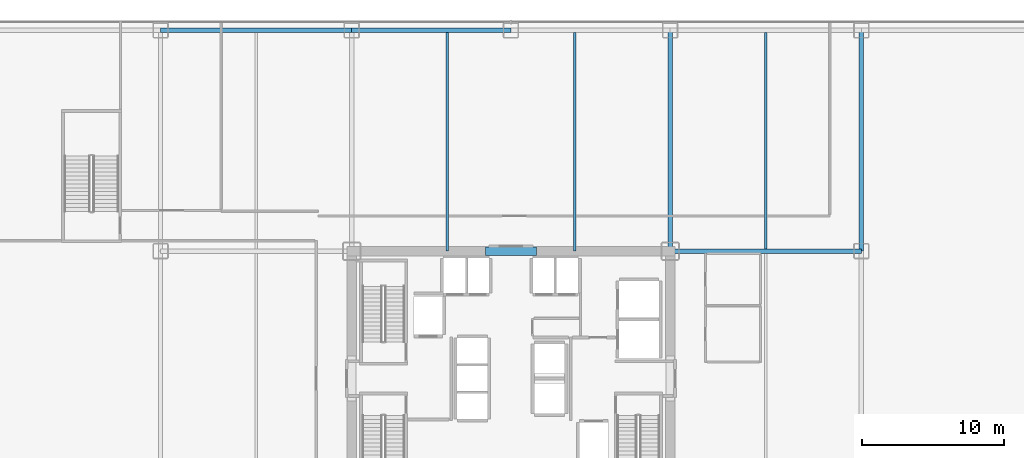
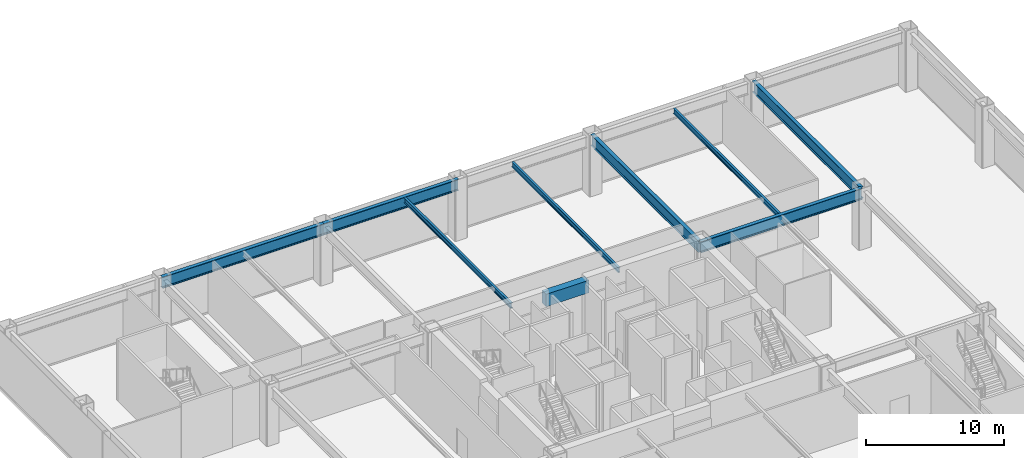
# One storey, part 9 of 24: 9 beams.
"""IFC4 building model written with IfcOpenShell, lengths in metres."""

from ifc_helpers import new_model, si_unit, direction, frame, origin, origin_2d, place, context, subcontext, project, spatial, rectangle, i_section, extrude, source, transform, mapped, material, material_profile, profile_set, type_object, element, save


model = new_model("IFC4")

# Units and contexts
model_context = context("Model", 3, precision=1e-05, world=origin(), true_north=direction((0.0, 1.0)))
body_context = subcontext(model_context, "Body", "Model", "MODEL_VIEW")
ifc_project = project(units=[si_unit("LENGTHUNIT", "METRE"), si_unit("AREAUNIT", "SQUARE_METRE"), si_unit("VOLUMEUNIT", "CUBIC_METRE"), si_unit("PLANEANGLEUNIT", "RADIAN"), si_unit("MASSUNIT", "GRAM", prefix="KILO")], contexts=[model_context])

# Site, building, storey
site_placement = place(None, origin())
site = spatial("IfcSite", under=ifc_project, at=site_placement, CompositionType="ELEMENT")
building_placement = place(site_placement, origin())
building = spatial("IfcBuilding", under=site, at=building_placement, Name="Nefas-Gora Pilgrimage Tower", CompositionType="ELEMENT")
storey_placement = place(building_placement, frame((0.0, 0.0, 11.39990234375)))
storey = spatial("IfcBuildingStorey", under=building, at=storey_placement, Name="L02", CompositionType="ELEMENT", Elevation=11.39990234375)

# Beams
ifc_material_1 = material(Name="Concrete C60/75", Category="concrete")
ifc_material_profile_1 = material_profile(ifc_material_1, rectangle(XDim=0.60009765625, YDim=1.10009765625, at=origin_2d()), Name="RC 600x1100")
ifc_profile_set_1 = profile_set([ifc_material_profile_1], Name="Concrete C60/75")
beam_type_1 = type_object("IfcBeamType", Name="BM-LIN-RC1100", PredefinedType="LINTEL", material=ifc_profile_set_1)
shared_shape_1 = source(origin(), body_context, "Body", "SweptSolid", [
    extrude(rectangle(XDim=0.60009765625, YDim=1.10009765625, at=origin_2d()), origin(), (0.0, 0.0, 1.0), 3.60009765625),
])
beam_1_placement = place(storey_placement, frame((-1.800048828125, 9.0, 4.550048828125), z_axis=(1.0, 0.0, 0.0), x_axis=(0.0, 1.0, 0.0)))
element("IfcBeam", 1, at=beam_1_placement, inside=storey, type_object=beam_type_1, Name="L02 Core Coupling Lintel Beam N", PredefinedType="LINTEL", context=body_context, shape_type="MappedRepresentation", body=[
    mapped(shared_shape_1, transform((0.0, 0.0, 0.0), x_axis=(1.0, 0.0, 0.0), y_axis=(0.0, 1.0, 0.0), z_axis=(0.0, 0.0, 1.0), scale=1.0)),
])
ifc_material_2 = material(Name="Steel S355", Category="steel")
ifc_material_profile_2 = material_profile(ifc_material_2, i_section(OverallWidth=0.18994140625, OverallDepth=0.449951171875, WebThickness=0.009521484375, FlangeThickness=0.0146484375, FilletRadius=0.02099609375, at=origin_2d()), Name="IPE 450")
ifc_profile_set_2 = profile_set([ifc_material_profile_2], Name="Steel S355")
beam_type_2 = type_object("IfcBeamType", Name="BM-JST-IPE450", PredefinedType="JOIST", material=ifc_profile_set_2)
shared_shape_2 = source(origin(), body_context, "Body", "SweptSolid", [
    extrude(i_section(OverallWidth=0.18994140625, OverallDepth=0.449951171875, WebThickness=0.009521484375, FlangeThickness=0.0146484375, FilletRadius=0.02099609375, at=origin_2d()), origin(), (0.0, 0.0, 1.0), 15.2880859375),
])
beam_2_placement = place(storey_placement, frame((18.0, 9.156005859375, 4.875), z_axis=(0.0, 1.0, 0.0), x_axis=(-1.0, 0.0, 0.0)))
element("IfcBeam", 2, at=beam_2_placement, inside=storey, type_object=beam_type_2, Name="L02 J-01 beam", PredefinedType="JOIST", context=body_context, shape_type="MappedRepresentation", body=[
    mapped(shared_shape_2, transform((0.0, 0.0, 0.0), x_axis=(1.0, 0.0, 0.0), y_axis=(0.0, 1.0, 0.0), z_axis=(0.0, 0.0, 1.0), scale=1.0)),
])
shared_shape_3 = source(origin(), body_context, "Body", "SweptSolid", [
    extrude(i_section(OverallWidth=0.18994140625, OverallDepth=0.449951171875, WebThickness=0.009521484375, FlangeThickness=0.0146484375, FilletRadius=0.02099609375, at=origin_2d()), origin(), (0.0, 0.0, 1.0), 15.444091796875),
])
for number, where, z_axis, x_axis, name in (
    (3, (-4.5, 9.0, 4.875), (0.0, 1.0, 0.0), (-1.0, 0.0, 0.0), "L02 J-01 beam"),
    (4, (4.5, 9.0, 4.875), (0.0, 1.0, 0.0), (-1.0, 0.0, 0.0), "L02 J-01 beam"),
):
    element("IfcBeam", number, at=place(storey_placement, frame(where, z_axis=z_axis, x_axis=x_axis)), inside=storey, type_object=beam_type_2, Name=name, PredefinedType="JOIST", context=body_context, shape_type="MappedRepresentation", body=[
        mapped(shared_shape_3, transform((0.0, 0.0, 0.0), x_axis=(1.0, 0.0, 0.0), y_axis=(0.0, 1.0, 0.0), z_axis=(0.0, 0.0, 1.0), scale=1.0)),
    ])
ifc_material_3 = material(Name="Steel S460", Category="steel")
ifc_material_profile_3 = material_profile(ifc_material_3, i_section(OverallWidth=0.300048828125, OverallDepth=1.0, WebThickness=0.01904296875, FlangeThickness=0.035888671875, FilletRadius=0.030029296875, at=origin_2d()), Name="HEB 1000")
ifc_profile_set_3 = profile_set([ifc_material_profile_3], Name="Steel S460")
beam_type_3 = type_object("IfcBeamType", Name="BM-POD-HEB1000E", PredefinedType="BEAM", material=ifc_profile_set_3)
shared_shape_4 = source(origin(), body_context, "Body", "SweptSolid", [
    extrude(i_section(OverallWidth=0.300048828125, OverallDepth=1.0, WebThickness=0.01904296875, FlangeThickness=0.035888671875, FilletRadius=0.030029296875, at=origin_2d()), origin(), (0.0, 0.0, 1.0), 13.5),
])
beam_3_placement = place(storey_placement, frame((-24.75, 24.60009765625, 4.60009765625), z_axis=(1.0, 0.0, 0.0), x_axis=(0.0, 1.0, 0.0)))
element("IfcBeam", 5, at=beam_3_placement, inside=storey, type_object=beam_type_3, Name="L02 PG-01E beam", PredefinedType="BEAM", context=body_context, shape_type="MappedRepresentation", body=[
    mapped(shared_shape_4, transform((0.0, 0.0, 0.0), x_axis=(1.0, 0.0, 0.0), y_axis=(0.0, 1.0, 0.0), z_axis=(0.0, 0.0, 1.0), scale=1.0)),
])
shared_shape_5 = source(origin(), body_context, "Body", "SweptSolid", [
    extrude(i_section(OverallWidth=0.300048828125, OverallDepth=1.0, WebThickness=0.01904296875, FlangeThickness=0.035888671875, FilletRadius=0.030029296875, at=origin_2d()), origin(), (0.0, 0.0, 1.0), 11.25),
])
beam_4_placement = place(storey_placement, frame((-11.25, 24.60009765625, 4.60009765625), z_axis=(1.0, 0.0, 0.0), x_axis=(0.0, 1.0, 0.0)))
element("IfcBeam", 6, at=beam_4_placement, inside=storey, type_object=beam_type_3, Name="L02 PG-01E beam", PredefinedType="BEAM", context=body_context, shape_type="MappedRepresentation", body=[
    mapped(shared_shape_5, transform((0.0, 0.0, 0.0), x_axis=(1.0, 0.0, 0.0), y_axis=(0.0, 1.0, 0.0), z_axis=(0.0, 0.0, 1.0), scale=1.0)),
])
ifc_material_profile_4 = material_profile(ifc_material_3, i_section(OverallWidth=0.300048828125, OverallDepth=1.0, WebThickness=0.01904296875, FlangeThickness=0.035888671875, FilletRadius=0.030029296875, at=origin_2d()), Name="HEB 1000")
ifc_profile_set_4 = profile_set([ifc_material_profile_4], Name="Steel S460")
beam_type_4 = type_object("IfcBeamType", Name="BM-POD-HEB1000", PredefinedType="BEAM", material=ifc_profile_set_4)
shared_shape_6 = source(origin(), body_context, "Body", "SweptSolid", [
    extrude(i_section(OverallWidth=0.300048828125, OverallDepth=1.0, WebThickness=0.01904296875, FlangeThickness=0.035888671875, FilletRadius=0.030029296875, at=origin_2d()), origin(), (0.0, 0.0, 1.0), 13.5),
])
beam_5_placement = place(storey_placement, frame((11.25, 9.0, 4.60009765625), z_axis=(1.0, 0.0, 0.0), x_axis=(0.0, 1.0, 0.0)))
element("IfcBeam", 7, at=beam_5_placement, inside=storey, type_object=beam_type_4, Name="L02 PG-01 beam", PredefinedType="BEAM", context=body_context, shape_type="MappedRepresentation", body=[
    mapped(shared_shape_6, transform((0.0, 0.0, 0.0), x_axis=(1.0, 0.0, 0.0), y_axis=(0.0, 1.0, 0.0), z_axis=(0.0, 0.0, 1.0), scale=1.0)),
])
shared_shape_7 = source(origin(), body_context, "Body", "SweptSolid", [
    extrude(i_section(OverallWidth=0.300048828125, OverallDepth=1.0, WebThickness=0.01904296875, FlangeThickness=0.035888671875, FilletRadius=0.030029296875, at=origin_2d()), origin(), (0.0, 0.0, 1.0), 15.60009765625),
])
for number, where, z_axis, x_axis, name in (
    (8, (11.25, 9.0, 4.60009765625), (0.0, 1.0, 0.0), (-1.0, 0.0, 0.0), "L02 PG-01 beam"),
    (9, (24.75, 9.0, 4.60009765625), (0.0, 1.0, 0.0), (-1.0, 0.0, 0.0), "L02 PG-01 beam"),
):
    element("IfcBeam", number, at=place(storey_placement, frame(where, z_axis=z_axis, x_axis=x_axis)), inside=storey, type_object=beam_type_4, Name=name, PredefinedType="BEAM", context=body_context, shape_type="MappedRepresentation", body=[
        mapped(shared_shape_7, transform((0.0, 0.0, 0.0), x_axis=(1.0, 0.0, 0.0), y_axis=(0.0, 1.0, 0.0), z_axis=(0.0, 0.0, 1.0), scale=1.0)),
    ])

save(model, "model.ifc")
